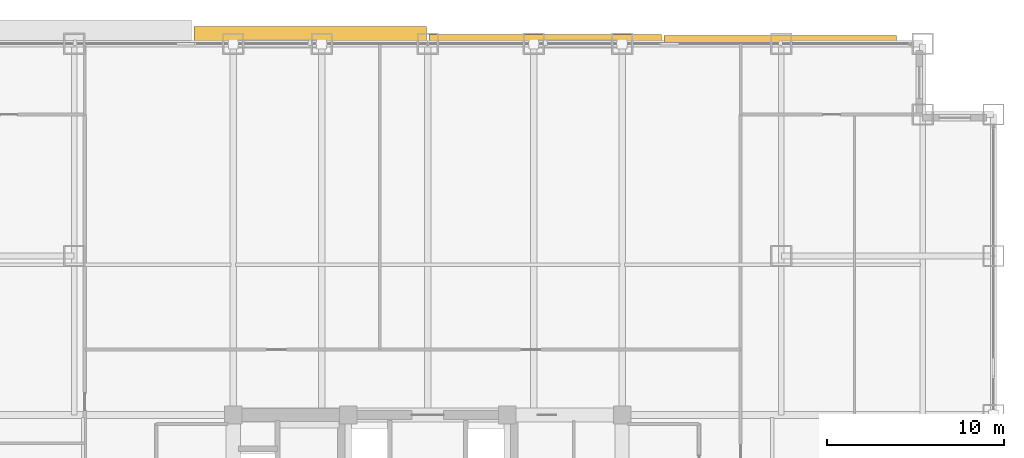
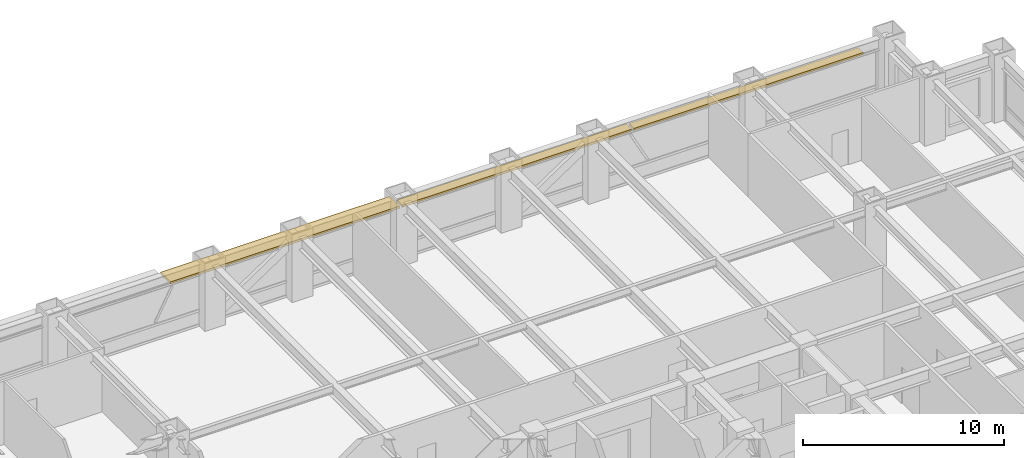
# One storey, part 32 of 32: 3 shading devices.
"""IFC4 building model written with IfcOpenShell, lengths in metres."""

import ifcopenshell
import ifcopenshell.guid

model = None  # the IFC model being written
_history = None  # IfcOwnerHistory: only IFC2X3 demands one
_inside = {}  # id of a spatial element -> (the spatial element, [elements in it])
_under = {}  # id of a project, library or spatial element -> (it, [spatial elements below it])
_declared = {}  # id of a project -> (the project, [libraries it declares])
_typed = {}  # id of a type object -> (the type object, [elements of that type])
_made_of = {}  # id of a material, layer set ... -> (it, [elements and type objects made of it])


def new_model(schema):
    """Start an empty IFC model of exactly this schema.

    Asked for "IFC4X3", IfcOpenShell would pick the latest addendum, in which some entities
    have other attributes; the version numbers below select the first issue.
    IFC2X3 requires an IfcOwnerHistory on every rooted entity: one is made here for all.
    """
    global model, _history
    if schema == "IFC4X3":
        model = ifcopenshell.file(schema_version=(4, 3, 0, 0))
    else:
        model = ifcopenshell.file(schema=schema)
    _inside.clear()
    _under.clear()
    _declared.clear()
    _typed.clear()
    _made_of.clear()
    _history = None
    if model.schema == "IFC2X3":
        org = make("IfcOrganization", Name="unknown")
        user = make(
            "IfcPersonAndOrganization",
            ThePerson=make("IfcPerson", FamilyName="unknown"),
            TheOrganization=org,
        )
        app = make(
            "IfcApplication",
            ApplicationDeveloper=org,
            Version="unknown",
            ApplicationFullName="unknown",
            ApplicationIdentifier="unknown",
        )
        _history = make(
            "IfcOwnerHistory",
            OwningUser=user,
            OwningApplication=app,
            ChangeAction="ADDED",
            CreationDate=0,
        )
    return model


def make(cls, **values):
    """One entity of the class cls with the attributes given. An attribute that is None is left unset."""
    return model.create_entity(
        cls, **{name: value for name, value in values.items() if value is not None}
    )


def rooted(cls, **values):
    """An entity with a GlobalId (a new one), such as an element, a storey or a relation."""
    return make(cls, GlobalId=ifcopenshell.guid.new(), OwnerHistory=_history, **values)


def si_unit(unit_type, name, prefix=None):
    """IfcSIUnit, for example si_unit("LENGTHUNIT", "METRE", prefix="MILLI")."""
    return make("IfcSIUnit", UnitType=unit_type, Prefix=prefix, Name=name)


def assignment(units):
    """IfcUnitAssignment: the units of a project."""
    return None if units is None else make("IfcUnitAssignment", Units=units)


def point(xyz):
    """IfcCartesianPoint."""
    return None if xyz is None else make("IfcCartesianPoint", Coordinates=xyz)


def direction(xyz):
    """IfcDirection."""
    return None if xyz is None else make("IfcDirection", DirectionRatios=xyz)


def frame(location, z_axis=None, x_axis=None):
    """IfcAxis2Placement3D, a coordinate frame: its origin and axes. An axis left out is left unset."""
    return make(
        "IfcAxis2Placement3D",
        Location=point(location),
        Axis=direction(z_axis),
        RefDirection=direction(x_axis),
    )


def frame_2d(location, x_axis=None):
    """IfcAxis2Placement2D, a coordinate frame in the plane: its origin and x axis."""
    return make(
        "IfcAxis2Placement2D", Location=point(location), RefDirection=direction(x_axis)
    )


def origin():
    """The frame at (0, 0, 0) with its axes left unset."""
    return frame((0.0, 0.0, 0.0))


def origin_2d():
    """The frame at (0, 0) in the plane with its x axis left unset."""
    return frame_2d((0.0, 0.0))


def place(relative_to, where):
    """IfcLocalPlacement: puts the frame where relative to a parent placement (None: the world)."""
    return make(
        "IfcLocalPlacement", PlacementRelTo=relative_to, RelativePlacement=where
    )


def context(
    kind, dimensions, precision=None, world=None, true_north=None, identifier=None
):
    """IfcGeometricRepresentationContext, for example the 3D "Model" context."""
    return make(
        "IfcGeometricRepresentationContext",
        ContextIdentifier=identifier,
        ContextType=kind,
        CoordinateSpaceDimension=dimensions,
        Precision=precision,
        WorldCoordinateSystem=world,
        TrueNorth=true_north,
    )


def subcontext(parent, identifier, kind, view, scale=None):
    """IfcGeometricRepresentationSubContext, for example "Body" below "Model"."""
    return make(
        "IfcGeometricRepresentationSubContext",
        ContextIdentifier=identifier,
        ContextType=kind,
        ParentContext=parent,
        TargetScale=scale,
        TargetView=view,
    )


def project(units=None, contexts=None):
    """IfcProject with its units and contexts."""
    return rooted(
        "IfcProject",
        Name="project",
        RepresentationContexts=contexts,
        UnitsInContext=assignment(units),
    )


def spatial(cls, under=None, at=None, **own):
    """A site, building, storey or space (cls), placed at a placement, below another one or the project."""
    s = rooted(cls, ObjectPlacement=at, **own)
    if under is not None:
        _under.setdefault(under.id(), (under, []))[1].append(s)
    return s


def profile(cls, at=None, kind="AREA", **sizes):
    """A parametric profile (cls). Its sizes go by their IFC names, for example OverallWidth=200.0."""
    return make(cls, ProfileType=kind, Position=at, **sizes)


def rectangle(**sizes):
    """IfcRectangleProfileDef."""
    return profile("IfcRectangleProfileDef", **sizes)


def extrude(swept, where, along, depth):
    """IfcExtrudedAreaSolid: the profile swept, set in the frame where, extruded along a direction by depth."""
    return make(
        "IfcExtrudedAreaSolid",
        SweptArea=swept,
        Position=where,
        ExtrudedDirection=direction(along),
        Depth=depth,
    )


def shape(context_of_items, identifier, shape_type, items):
    """IfcShapeRepresentation: the items that make up one representation, for example the "Body"."""
    return make(
        "IfcShapeRepresentation",
        ContextOfItems=context_of_items,
        RepresentationIdentifier=identifier,
        RepresentationType=shape_type,
        Items=items,
    )


def source(mapping_origin, context_of_items, identifier, shape_type, items):
    """IfcRepresentationMap: a shape defined once, which mapped items show again and again."""
    return make(
        "IfcRepresentationMap",
        MappingOrigin=mapping_origin,
        MappedRepresentation=shape(context_of_items, identifier, shape_type, items),
    )


def transform(
    local_origin,
    x_axis=None,
    y_axis=None,
    z_axis=None,
    scale=None,
    scale2=None,
    scale3=None,
    uniform=True,
):
    """IfcCartesianTransformationOperator3D, or its non-uniform kind. x_axis, y_axis, z_axis: its Axis1, 2, 3."""
    if uniform:
        return make(
            "IfcCartesianTransformationOperator3D",
            Axis1=direction(x_axis),
            Axis2=direction(y_axis),
            LocalOrigin=point(local_origin),
            Scale=scale,
            Axis3=direction(z_axis),
        )
    return make(
        "IfcCartesianTransformationOperator3DnonUniform",
        Axis1=direction(x_axis),
        Axis2=direction(y_axis),
        LocalOrigin=point(local_origin),
        Scale=scale,
        Axis3=direction(z_axis),
        Scale2=scale2,
        Scale3=scale3,
    )


def mapped(mapping_source, mapping_target):
    """IfcMappedItem: shows the shape of a source again, moved by a transform."""
    return make(
        "IfcMappedItem", MappingSource=mapping_source, MappingTarget=mapping_target
    )


def material(Name=None, Category=None):
    """IfcMaterial."""
    return make("IfcMaterial", Name=Name, Category=Category)


def layer(
    of_material, thickness, ventilated=None, Name=None, Category=None, Priority=None
):
    """IfcMaterialLayer: one layer of a wall or slab, of a material (None: an air gap)."""
    return make(
        "IfcMaterialLayer",
        Material=of_material,
        LayerThickness=thickness,
        IsVentilated=ventilated,
        Name=Name,
        Category=Category,
        Priority=Priority,
    )


def layer_set(layers, Name=None):
    """IfcMaterialLayerSet."""
    return make("IfcMaterialLayerSet", MaterialLayers=layers, LayerSetName=Name)


def made_of(thing, what):
    """Note that an element or type object is made of a material, layer set ...; save() writes the relation."""
    if what is not None:
        _made_of.setdefault(what.id(), (what, []))[1].append(thing)
    return thing


def type_object(cls, material=None, **own):
    """A type object (cls), such as IfcWallType, which elements share."""
    return made_of(rooted(cls, **own), material)


def element(
    cls,
    number,
    at=None,
    inside=None,
    cuts=None,
    type_object=None,
    material=None,
    context=None,
    identifier="Body",
    shape_type=None,
    held_by="IfcProductDefinitionShape",
    body=None,
    shapes=None,
    **own,
):
    """One element of the class cls, such as IfcWall. Its Tag is "e" and its number.

    at: its placement. inside: the storey or other place that contains it. cuts: it is an
    opening in that element (IfcRelVoidsElement). A single representation is given by context,
    identifier, shape_type and body (its items); several are given by shapes. held_by: the class
    of the entity that holds the representations. save() writes the other relations.
    """
    e = rooted(cls, Tag="e%d" % number, ObjectPlacement=at, **own)
    if body is not None:
        shapes = [shape(context, identifier, shape_type, body)]
    if shapes is not None:
        e.Representation = make(held_by, Representations=shapes)
    if inside is not None:
        _inside.setdefault(inside.id(), (inside, []))[1].append(e)
    if cuts is not None:
        rooted(
            "IfcRelVoidsElement", RelatingBuildingElement=cuts, RelatedOpeningElement=e
        )
    if type_object is not None:
        _typed.setdefault(type_object.id(), (type_object, []))[1].append(e)
    return made_of(e, material)


def aggregate(whole, parts):
    """IfcRelAggregates: a whole, such as a stair, and the parts it consists of."""
    return rooted("IfcRelAggregates", RelatingObject=whole, RelatedObjects=parts)


def save(model, path):
    """Write the relations noted so far, then the file.

    IfcRelAggregates (storeys below a building ...), IfcRelContainedInSpatialStructure (elements
    in a storey), IfcRelDefinesByType, IfcRelAssociatesMaterial and IfcRelDeclares: one each for
    every whole, place, type object, material and project.
    """
    for whole, parts in _under.values():
        aggregate(whole, parts)
    for where, things in _inside.values():
        rooted(
            "IfcRelContainedInSpatialStructure",
            RelatedElements=things,
            RelatingStructure=where,
        )
    for kind, things in _typed.values():
        rooted("IfcRelDefinesByType", RelatedObjects=things, RelatingType=kind)
    for what, things in _made_of.values():
        rooted("IfcRelAssociatesMaterial", RelatedObjects=things, RelatingMaterial=what)
    for by, libraries in _declared.values():
        rooted("IfcRelDeclares", RelatingContext=by, RelatedDefinitions=libraries)
    model.write(path)


model = new_model("IFC4")

# Units and contexts
model_context = context("Model", 3, precision=1e-05, world=origin(), true_north=direction((0.0, 1.0)))
body_context = subcontext(model_context, "Body", "Model", "MODEL_VIEW")
ifc_project = project(units=[si_unit("LENGTHUNIT", "METRE"), si_unit("AREAUNIT", "SQUARE_METRE"), si_unit("VOLUMEUNIT", "CUBIC_METRE"), si_unit("PLANEANGLEUNIT", "RADIAN"), si_unit("MASSUNIT", "GRAM", prefix="KILO")], contexts=[model_context])

# Site, building, storey
site_placement = place(None, origin())
site = spatial("IfcSite", under=ifc_project, at=site_placement, CompositionType="ELEMENT")
building_placement = place(site_placement, origin())
building = spatial("IfcBuilding", under=site, at=building_placement, Name="Khorayat Bourse Tower", CompositionType="ELEMENT")
storey_placement = place(building_placement, frame((0.0, 0.0, 132.39990234375)))
storey = spatial("IfcBuildingStorey", under=building, at=storey_placement, Name="L30", CompositionType="ELEMENT", Elevation=132.39990234375)

# Shading devices
ifc_material = material(Name="Precast concrete C45/55", Category="concrete")
ifc_layer = layer(ifc_material, 0.139892578125)
ifc_layer_set = layer_set([ifc_layer], Name="Precast concrete C45/55")
shading_device_type = type_object("IfcShadingDeviceType", Name="SHD-WAVE-TRAY-B", PredefinedType="USERDEFINED", material=ifc_layer_set)
shared_shape_1 = source(origin(), body_context, "Body", "SweptSolid", [
    extrude(rectangle(XDim=13.159912109375, YDim=0.989990234375, at=origin_2d()), origin(), (0.0, 0.0, 1.0), 0.139892578125),
])
shading_device_1_placement = place(storey_placement, frame((-6.64990234375, 32.47509765625, 3.09033203125), z_axis=(0.0, 0.0, 1.0), x_axis=(1.0, 0.0, 0.0)))
element("IfcShadingDevice", 1, at=shading_device_1_placement, inside=storey, type_object=shading_device_type, Name="L30 Sinusoidal Wave Sunshade Tray N-2", ObjectType="SUNSHADE", PredefinedType="USERDEFINED", context=body_context, shape_type="MappedRepresentation", body=[
    mapped(shared_shape_1, transform((0.0, 0.0, 0.0), scale=1.0)),
])
shared_shape_2 = source(origin(), body_context, "Body", "SweptSolid", [
    extrude(rectangle(XDim=13.159912109375, YDim=0.54638671875, at=origin_2d()), origin(), (0.0, 0.0, 1.0), 0.139892578125),
])
shading_device_2_placement = place(storey_placement, frame((6.64990234375, 32.253173828125, 3.09033203125), z_axis=(0.0, 0.0, 1.0), x_axis=(1.0, 0.0, 0.0)))
element("IfcShadingDevice", 2, at=shading_device_2_placement, inside=storey, type_object=shading_device_type, Name="L30 Sinusoidal Wave Sunshade Tray N-3", ObjectType="SUNSHADE", PredefinedType="USERDEFINED", context=body_context, shape_type="MappedRepresentation", body=[
    mapped(shared_shape_2, transform((0.0, 0.0, 0.0), scale=1.0)),
])
shared_shape_3 = source(origin(), body_context, "Body", "SweptSolid", [
    extrude(rectangle(XDim=13.159912109375, YDim=0.48974609375, at=origin_2d()), origin(), (0.0, 0.0, 1.0), 0.139892578125),
])
shading_device_3_placement = place(storey_placement, frame((19.949951171875, 32.224853515625, 3.09033203125), z_axis=(0.0, 0.0, 1.0), x_axis=(1.0, 0.0, 0.0)))
element("IfcShadingDevice", 3, at=shading_device_3_placement, inside=storey, type_object=shading_device_type, Name="L30 Sinusoidal Wave Sunshade Tray N-4", ObjectType="SUNSHADE", PredefinedType="USERDEFINED", context=body_context, shape_type="MappedRepresentation", body=[
    mapped(shared_shape_3, transform((0.0, 0.0, 0.0), scale=1.0)),
])

save(model, "model.ifc")
